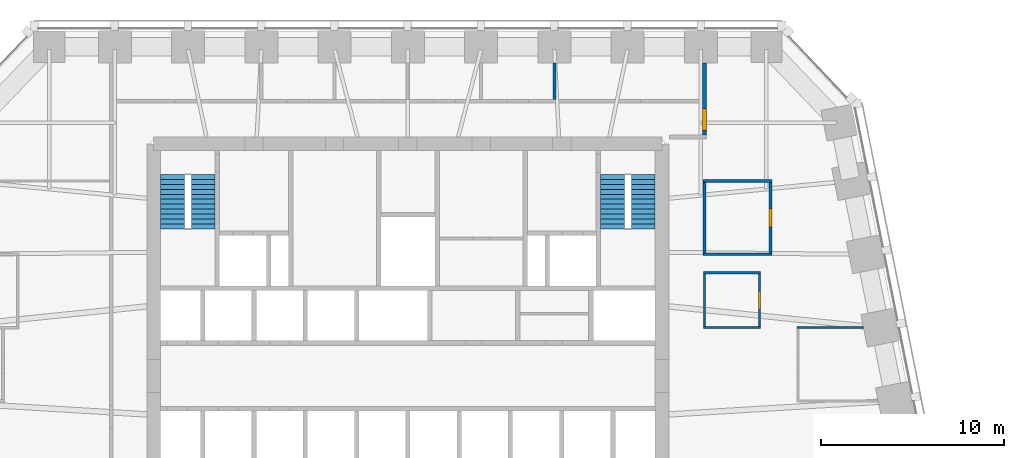
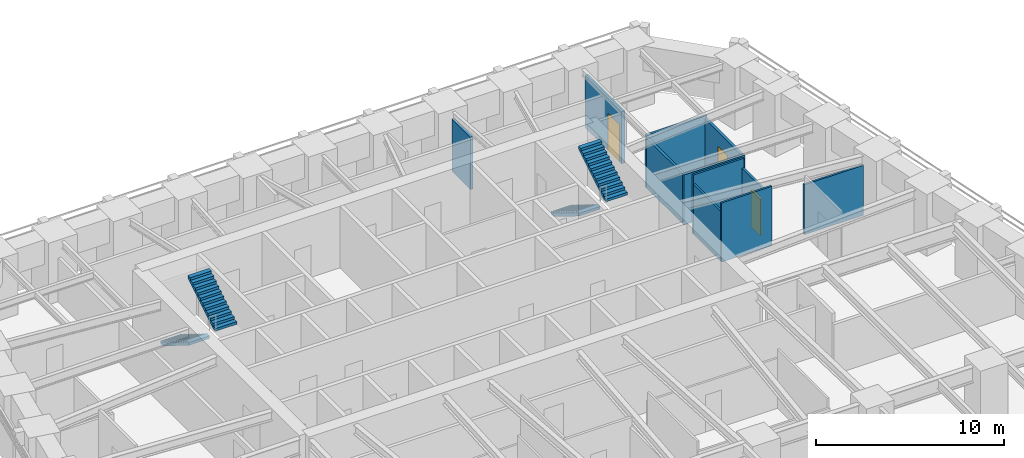
# One storey, part 8 of 10: 11 walls, 4 stair flights, 3 doors, 3 openings, 2 elements without a shape of their own.
"""IFC4 building model written with IfcOpenShell, lengths in metres."""

from ifc_helpers import new_model, si_unit, direction, frame, frame_2d, origin, place, context, subcontext, project, spatial, polyline, rectangle, outline, extrude, material, layer, layer_set, type_object, element, fill, aggregate, save


model = new_model("IFC4")

# Units and contexts
model_context = context("Model", 3, precision=1e-05, world=origin(), true_north=direction((0.0, 1.0)))
body_context = subcontext(model_context, "Body", "Model", "MODEL_VIEW")
ifc_project = project(units=[si_unit("LENGTHUNIT", "METRE"), si_unit("AREAUNIT", "SQUARE_METRE"), si_unit("VOLUMEUNIT", "CUBIC_METRE"), si_unit("PLANEANGLEUNIT", "RADIAN"), si_unit("MASSUNIT", "GRAM", prefix="KILO")], contexts=[model_context])

# Site, building, storey
site_placement = place(None, origin())
site = spatial("IfcSite", under=ifc_project, at=site_placement, CompositionType="ELEMENT")
building_placement = place(site_placement, origin())
building = spatial("IfcBuilding", under=site, at=building_placement, Name="Isbrekke Arena Tower", CompositionType="ELEMENT")
storey_placement = place(building_placement, frame((0.0, 0.0, 115.0)))
storey = spatial("IfcBuildingStorey", under=building, at=storey_placement, Name="L25", CompositionType="ELEMENT", Elevation=115.0)

# Walls
ifc_material_1 = material(Name="Gypsum board partition on steel studs", Category="steel")
ifc_layer_1 = layer(ifc_material_1, 0.14990234375)
ifc_layer_set_1 = layer_set([ifc_layer_1], Name="IW1 PARTITION 150")
wall_type_1 = type_object("IfcWallType", Name="IW1 PARTITION 150", PredefinedType="PARTITIONING", material=ifc_layer_set_1)
wall_1_placement = place(storey_placement, frame((16.125, 17.840087890625, 0.0), z_axis=(0.0, 0.0, 1.0), x_axis=(1.0, 0.0, 0.0)))
element("IfcWall", 1, at=wall_1_placement, inside=storey, type_object=wall_type_1, Name="IW1 partition 150 L25", PredefinedType="PARTITIONING", context=body_context, shape_type="SweptSolid", body=[
    extrude(rectangle(XDim=3.75, YDim=0.14990234375, at=frame_2d((1.875, 0.0))), origin(), (0.0, 0.0, 1.0), 3.25),
])
wall_2_placement = place(storey_placement, frame((16.125, 21.840087890625, 0.0), z_axis=(0.0, 0.0, 1.0), x_axis=(1.0, 0.0, 0.0)))
element("IfcWall", 2, at=wall_2_placement, inside=storey, type_object=wall_type_1, Name="IW1 partition 150 L25", PredefinedType="PARTITIONING", context=body_context, shape_type="SweptSolid", body=[
    extrude(rectangle(XDim=3.75, YDim=0.14990234375, at=frame_2d((1.875, 0.0))), origin(), (0.0, 0.0, 1.0), 3.39990234375),
])
wall_3_placement = place(storey_placement, frame((8.0, 26.300048828125, 0.0), z_axis=(0.0, 0.0, 1.0), x_axis=(0.0, 1.0, 0.0)))
element("IfcWall", 3, at=wall_3_placement, inside=storey, type_object=wall_type_1, Name="IW1 partition 150 L25", PredefinedType="PARTITIONING", context=body_context, shape_type="SweptSolid", body=[
    extrude(rectangle(XDim=1.974853515625, YDim=0.14990234375, at=frame_2d((0.9873046875, 0.0))), origin(), (0.0, 0.0, 1.0), 3.39990234375),
])
wall_4_placement = place(storey_placement, frame((16.199951171875, 17.9150390625, 0.0), z_axis=(0.0, 0.0, 1.0), x_axis=(0.0, 1.0, 0.0)))
element("IfcWall", 4, at=wall_4_placement, inside=storey, type_object=wall_type_1, Name="IW1 partition 150 L25", PredefinedType="PARTITIONING", context=body_context, shape_type="SweptSolid", body=[
    extrude(rectangle(XDim=3.849853515625, YDim=0.14990234375, at=frame_2d((1.9248046875, 0.0))), origin(), (0.0, 0.0, 1.0), 3.25),
])

# Wall, opening, door
wall_5_placement = place(storey_placement, frame((19.800048828125, 17.9150390625, 0.0), z_axis=(0.0, 0.0, 1.0), x_axis=(0.0, 1.0, 0.0)))
wall_5 = element("IfcWall", 5, at=wall_5_placement, inside=storey, type_object=wall_type_1, Name="IW1 partition 150 L25", PredefinedType="PARTITIONING", context=body_context, shape_type="SweptSolid", body=[
    extrude(rectangle(XDim=3.849853515625, YDim=0.14990234375, at=frame_2d((1.9248046875, 0.0))), origin(), (0.0, 0.0, 1.0), 3.25),
])
opening_1_placement = place(wall_5_placement, frame((1.425048828125, 0.0, 0.0)))
opening_1 = element("IfcOpeningElement", 6, at=opening_1_placement, cuts=wall_5, Name="Opening D10", PredefinedType="OPENING", context=body_context, shape_type="SweptSolid", body=[
    extrude(rectangle(XDim=1.0, YDim=2.300048828125, at=frame_2d((0.5, 1.14990234375))), frame((0.0, 0.08984375, 0.0), z_axis=(0.0, -1.0, 0.0), x_axis=(1.0, 0.0, 0.0)), (0.0, 0.0, 1.0), 0.1796875),
])
ifc_material_2 = material(Name="Timber door", Category="wood")
door_type_1 = type_object("IfcDoorType", Name="D10 OFFICE DOOR 1000 x 2300", OperationType="SINGLE_SWING_LEFT", PredefinedType="DOOR", material=ifc_material_2)
door_1_placement = place(opening_1_placement, origin())
door_1 = element("IfcDoor", 7, at=door_1_placement, inside=storey, type_object=door_type_1, Name="D10 pantry door L25", OperationType="SINGLE_SWING_LEFT", OverallHeight=2.300048828125, OverallWidth=1.0, PredefinedType="DOOR", context=body_context, shape_type="SweptSolid", body=[
    extrude(rectangle(XDim=1.0, YDim=2.300048828125, at=frame_2d((0.5, 1.14990234375))), frame((0.0, 0.07470703125, 0.0), z_axis=(0.0, -1.0, 0.0), x_axis=(1.0, 0.0, 0.0)), (0.0, 0.0, 1.0), 0.1494140625),
])
fill(opening_1, door_1)

# Walls
ifc_material_3 = material(Name="Frameless glazed partition, laminated acoustic glass", Category="glass")
ifc_layer_2 = layer(ifc_material_3, 0.1201171875)
ifc_layer_set_2 = layer_set([ifc_layer_2], Name="IW2 GLAZED PARTITION 120")
wall_type_2 = type_object("IfcWallType", Name="IW2 GLAZED PARTITION 120", PredefinedType="PARTITIONING", material=ifc_layer_set_2)
wall_6_placement = place(storey_placement, frame((16.139892578125, 13.840087890625, 0.0), z_axis=(0.0, 0.0, 1.0), x_axis=(1.0, 0.0, 0.0)))
element("IfcWall", 8, at=wall_6_placement, inside=storey, type_object=wall_type_2, Name="IW2 glazed partition 120 L25", PredefinedType="PARTITIONING", context=body_context, shape_type="SweptSolid", body=[
    extrude(rectangle(XDim=3.1201171875, YDim=0.1201171875, at=frame_2d((1.56005859375, 0.0))), origin(), (0.0, 0.0, 1.0), 3.85009765625),
])
wall_7_placement = place(storey_placement, frame((21.239990234375, 13.840087890625, 0.0), z_axis=(0.0, 0.0, 1.0), x_axis=(1.0, 0.0, 0.0)))
element("IfcWall", 9, at=wall_7_placement, inside=storey, type_object=wall_type_2, Name="IW2 glazed partition 120 L25", PredefinedType="PARTITIONING", context=body_context, shape_type="SweptSolid", body=[
    extrude(rectangle(XDim=3.6328125, YDim=0.1201171875, at=frame_2d((1.81640625, 0.0))), origin(), (0.0, 0.0, 1.0), 3.25),
])
wall_8_placement = place(storey_placement, frame((16.139892578125, 16.840087890625, 0.0), z_axis=(0.0, 0.0, 1.0), x_axis=(1.0, 0.0, 0.0)))
element("IfcWall", 10, at=wall_8_placement, inside=storey, type_object=wall_type_2, Name="IW2 glazed partition 120 L25", PredefinedType="PARTITIONING", context=body_context, shape_type="SweptSolid", body=[
    extrude(rectangle(XDim=3.1201171875, YDim=0.1201171875, at=frame_2d((1.56005859375, 0.0))), origin(), (0.0, 0.0, 1.0), 3.85009765625),
])
wall_9_placement = place(storey_placement, frame((16.199951171875, 13.89990234375, 0.0), z_axis=(0.0, 0.0, 1.0), x_axis=(0.0, 1.0, 0.0)))
element("IfcWall", 11, at=wall_9_placement, inside=storey, type_object=wall_type_2, Name="IW2 glazed partition 120 L25", PredefinedType="PARTITIONING", context=body_context, shape_type="SweptSolid", body=[
    extrude(rectangle(XDim=2.880126953125, YDim=0.1201171875, at=frame_2d((1.43994140625, 0.0))), origin(), (0.0, 0.0, 1.0), 3.25),
])

# Wall, opening, door
wall_10_placement = place(storey_placement, frame((19.199951171875, 13.89990234375, 0.0), z_axis=(0.0, 0.0, 1.0), x_axis=(0.0, 1.0, 0.0)))
wall_10 = element("IfcWall", 12, at=wall_10_placement, inside=storey, type_object=wall_type_2, Name="IW2 glazed partition 120 L25", PredefinedType="PARTITIONING", context=body_context, shape_type="SweptSolid", body=[
    extrude(rectangle(XDim=2.880126953125, YDim=0.1201171875, at=frame_2d((1.43994140625, 0.0))), origin(), (0.0, 0.0, 1.0), 3.25),
])
opening_2_placement = place(wall_10_placement, frame((0.93994140625, 0.0, 0.0)))
opening_2 = element("IfcOpeningElement", 13, at=opening_2_placement, cuts=wall_10, Name="Opening D11", PredefinedType="OPENING", context=body_context, shape_type="SweptSolid", body=[
    extrude(rectangle(XDim=1.0, YDim=2.39990234375, at=frame_2d((0.5, 1.199951171875))), frame((0.0, 0.074951171875, 0.0), z_axis=(0.0, -1.0, 0.0), x_axis=(1.0, 0.0, 0.0)), (0.0, 0.0, 1.0), 0.14990234375),
])
ifc_material_4 = material(Name="Frameless glazed door", Category="glass")
door_type_2 = type_object("IfcDoorType", Name="D11 GLAZED MEETING ROOM DOOR 1000 x 2400", OperationType="SINGLE_SWING_RIGHT", PredefinedType="DOOR", material=ifc_material_4)
door_2_placement = place(opening_2_placement, origin())
door_2 = element("IfcDoor", 14, at=door_2_placement, inside=storey, type_object=door_type_2, Name="D11 quiet room door L25", OperationType="SINGLE_SWING_RIGHT", OverallHeight=2.39990234375, OverallWidth=1.0, PredefinedType="DOOR", context=body_context, shape_type="SweptSolid", body=[
    extrude(rectangle(XDim=1.0, YDim=2.39990234375, at=frame_2d((0.5, 1.199951171875))), frame((0.0, 0.059814453125, 0.0), z_axis=(0.0, -1.0, 0.0), x_axis=(1.0, 0.0, 0.0)), (0.0, 0.0, 1.0), 0.11962890625),
])
fill(opening_2, door_2)

ifc_material_5 = material(Name="Gypsum board fire-cell wall on steel studs, two layers each side", Category="steel")
ifc_layer_3 = layer(ifc_material_5, 0.199951171875)
ifc_layer_set_3 = layer_set([ifc_layer_3], Name="IW3 FIRE-CELL WALL 200")
wall_type_3 = type_object("IfcWallType", Name="IW3 FIRE-CELL WALL 200", PredefinedType="PARTITIONING", material=ifc_layer_set_3)
wall_11_placement = place(storey_placement, frame((16.199951171875, 24.35009765625, 0.0), z_axis=(0.0, 0.0, 1.0), x_axis=(0.0, 1.0, 0.0)))
wall_11 = element("IfcWall", 15, at=wall_11_placement, inside=storey, type_object=wall_type_3, Name="IW3 fire-cell wall 200 L25", PredefinedType="PARTITIONING", context=body_context, shape_type="SweptSolid", body=[
    extrude(rectangle(XDim=3.9248046875, YDim=0.199951171875, at=frame_2d((1.96240234375, 0.0))), origin(), (0.0, 0.0, 1.0), 3.39990234375),
])
opening_3_placement = place(wall_11_placement, frame((0.25, 0.0, 0.0)))
opening_3 = element("IfcOpeningElement", 16, at=opening_3_placement, cuts=wall_11, Name="Opening D12", PredefinedType="OPENING", context=body_context, shape_type="SweptSolid", body=[
    extrude(rectangle(XDim=1.199951171875, YDim=2.39990234375, at=frame_2d((0.60009765625, 1.199951171875))), frame((0.0, 0.11474609375, 0.0), z_axis=(0.0, -1.0, 0.0), x_axis=(1.0, 0.0, 0.0)), (0.0, 0.0, 1.0), 0.229736328125),
])
ifc_material_6 = material(Name="Timber fire door with vision panel", Category="wood")
door_type_3 = type_object("IfcDoorType", Name="D12 SUITE ENTRANCE DOOR 1200 x 2400", OperationType="SINGLE_SWING_LEFT", PredefinedType="DOOR", material=ifc_material_6)
door_3_placement = place(opening_3_placement, origin())
door_3 = element("IfcDoor", 17, at=door_3_placement, inside=storey, type_object=door_type_3, Name="D12 suite entrance E door L25", OperationType="SINGLE_SWING_LEFT", OverallHeight=2.39990234375, OverallWidth=1.199951171875, PredefinedType="DOOR", context=body_context, shape_type="SweptSolid", body=[
    extrude(rectangle(XDim=1.199951171875, YDim=2.39990234375, at=frame_2d((0.60009765625, 1.199951171875))), frame((0.0, 0.099609375, 0.0), z_axis=(0.0, -1.0, 0.0), x_axis=(1.0, 0.0, 0.0)), (0.0, 0.0, 1.0), 0.199462890625),
])
fill(opening_3, door_3)

# Stair, stair flights
ifc_material_7 = material(Name="Concrete B45 (C45/55) precast", Category="concrete")
stair_type = type_object("IfcStairType", Name="ST40 STAIR 1300 WIDE, 24 RISERS 167", PredefinedType="HALF_TURN_STAIR", material=ifc_material_7)
stair_1_placement = place(storey_placement, origin())
stair_1 = element("IfcStair", 18, at=stair_1_placement, inside=storey, type_object=stair_type, Name="ST1 stair L25", PredefinedType="HALF_TURN_STAIR")
ifc_material_8 = material(Name="Concrete B45 (C45/55) precast", Category="concrete")
stair_flight_type = type_object("IfcStairFlightType", Name="SF 1300 FLIGHT", PredefinedType="STRAIGHT", material=ifc_material_8)
stair_flight_1_placement = place(storey_placement, frame((-12.85009765625, 22.199951171875, 0.0), z_axis=(0.0, 0.0, 1.0), x_axis=(0.0, -1.0, 0.0)))
stair_flight_1 = element("IfcStairFlight", 19, at=stair_flight_1_placement, type_object=stair_flight_type, Name="ST1 flight 1", NumberOfRisers=12, NumberOfTreads=11, PredefinedType="STRAIGHT", RiserHeight=0.166666667, TreadLength=0.27, context=body_context, shape_type="SweptSolid", body=[
    extrude(outline(polyline([(0.0, 0.0), (0.0, 0.166748046875), (0.27001953125, 0.166748046875), (0.27001953125, 0.333251953125), (0.5400390625, 0.333251953125), (0.5400390625, 0.5), (0.81005859375, 0.5), (0.81005859375, 0.666748046875), (1.080078125, 0.666748046875), (1.080078125, 0.833251953125), (1.35009765625, 0.833251953125), (1.35009765625, 1.0), (1.6201171875, 1.0), (1.6201171875, 1.166748046875), (1.889892578125, 1.166748046875), (1.889892578125, 1.333251953125), (2.159912109375, 1.333251953125), (2.159912109375, 1.5), (2.429931640625, 1.5), (2.429931640625, 1.666748046875), (2.699951171875, 1.666748046875), (2.699951171875, 1.833251953125), (2.969970703125, 1.833251953125), (2.969970703125, 2.0), (2.969970703125, 1.6572265625), (0.285400390625, 0.0), (0.0, 0.0)])), frame((0.0, 0.64990234375, 0.0), z_axis=(0.0, -1.0, 0.0), x_axis=(1.0, 0.0, 0.0)), (0.0, 0.0, 1.0), 1.300048828125),
])
stair_flight_2_placement = place(storey_placement, frame((-11.175048828125, 19.22998046875, 2.0), z_axis=(0.0, 0.0, 1.0), x_axis=(0.0, 1.0, 0.0)))
stair_flight_2 = element("IfcStairFlight", 20, at=stair_flight_2_placement, type_object=stair_flight_type, Name="ST1 flight 2", NumberOfRisers=12, NumberOfTreads=11, PredefinedType="STRAIGHT", RiserHeight=0.166666667, TreadLength=0.27, context=body_context, shape_type="SweptSolid", body=[
    extrude(outline(polyline([(0.0, 0.0), (0.0, 0.166748046875), (0.27001953125, 0.166748046875), (0.27001953125, 0.333251953125), (0.5400390625, 0.333251953125), (0.5400390625, 0.5), (0.81005859375, 0.5), (0.81005859375, 0.666748046875), (1.080078125, 0.666748046875), (1.080078125, 0.833251953125), (1.35009765625, 0.833251953125), (1.35009765625, 1.0), (1.6201171875, 1.0), (1.6201171875, 1.166748046875), (1.889892578125, 1.166748046875), (1.889892578125, 1.333251953125), (2.159912109375, 1.333251953125), (2.159912109375, 1.5), (2.429931640625, 1.5), (2.429931640625, 1.666748046875), (2.699951171875, 1.666748046875), (2.699951171875, 1.833251953125), (2.969970703125, 1.833251953125), (2.969970703125, 2.0), (2.969970703125, 1.6572265625), (0.285400390625, 0.0), (0.0, 0.0)])), frame((0.0, 0.64990234375, 0.0), z_axis=(0.0, -1.0, 0.0), x_axis=(1.0, 0.0, 0.0)), (0.0, 0.0, 1.0), 1.300048828125),
])
aggregate(stair_1, [stair_flight_1, stair_flight_2])

stair_2_placement = place(storey_placement, origin())
stair_2 = element("IfcStair", 21, at=stair_2_placement, inside=storey, type_object=stair_type, Name="ST2 stair L25", PredefinedType="HALF_TURN_STAIR")
stair_flight_3_placement = place(storey_placement, frame((11.175048828125, 22.199951171875, 0.0), z_axis=(0.0, 0.0, 1.0), x_axis=(0.0, -1.0, 0.0)))
stair_flight_3 = element("IfcStairFlight", 22, at=stair_flight_3_placement, type_object=stair_flight_type, Name="ST2 flight 1", NumberOfRisers=12, NumberOfTreads=11, PredefinedType="STRAIGHT", RiserHeight=0.166666667, TreadLength=0.27, context=body_context, shape_type="SweptSolid", body=[
    extrude(outline(polyline([(0.0, 0.0), (0.0, 0.166748046875), (0.27001953125, 0.166748046875), (0.27001953125, 0.333251953125), (0.5400390625, 0.333251953125), (0.5400390625, 0.5), (0.81005859375, 0.5), (0.81005859375, 0.666748046875), (1.080078125, 0.666748046875), (1.080078125, 0.833251953125), (1.35009765625, 0.833251953125), (1.35009765625, 1.0), (1.6201171875, 1.0), (1.6201171875, 1.166748046875), (1.889892578125, 1.166748046875), (1.889892578125, 1.333251953125), (2.159912109375, 1.333251953125), (2.159912109375, 1.5), (2.429931640625, 1.5), (2.429931640625, 1.666748046875), (2.699951171875, 1.666748046875), (2.699951171875, 1.833251953125), (2.969970703125, 1.833251953125), (2.969970703125, 2.0), (2.969970703125, 1.6572265625), (0.285400390625, 0.0), (0.0, 0.0)])), frame((0.0, 0.64990234375, 0.0), z_axis=(0.0, -1.0, 0.0), x_axis=(1.0, 0.0, 0.0)), (0.0, 0.0, 1.0), 1.300048828125),
])
stair_flight_4_placement = place(storey_placement, frame((12.85009765625, 19.22998046875, 2.0), z_axis=(0.0, 0.0, 1.0), x_axis=(0.0, 1.0, 0.0)))
stair_flight_4 = element("IfcStairFlight", 23, at=stair_flight_4_placement, type_object=stair_flight_type, Name="ST2 flight 2", NumberOfRisers=12, NumberOfTreads=11, PredefinedType="STRAIGHT", RiserHeight=0.166666667, TreadLength=0.27, context=body_context, shape_type="SweptSolid", body=[
    extrude(outline(polyline([(0.0, 0.0), (0.0, 0.166748046875), (0.27001953125, 0.166748046875), (0.27001953125, 0.333251953125), (0.5400390625, 0.333251953125), (0.5400390625, 0.5), (0.81005859375, 0.5), (0.81005859375, 0.666748046875), (1.080078125, 0.666748046875), (1.080078125, 0.833251953125), (1.35009765625, 0.833251953125), (1.35009765625, 1.0), (1.6201171875, 1.0), (1.6201171875, 1.166748046875), (1.889892578125, 1.166748046875), (1.889892578125, 1.333251953125), (2.159912109375, 1.333251953125), (2.159912109375, 1.5), (2.429931640625, 1.5), (2.429931640625, 1.666748046875), (2.699951171875, 1.666748046875), (2.699951171875, 1.833251953125), (2.969970703125, 1.833251953125), (2.969970703125, 2.0), (2.969970703125, 1.6572265625), (0.285400390625, 0.0), (0.0, 0.0)])), frame((0.0, 0.64990234375, 0.0), z_axis=(0.0, -1.0, 0.0), x_axis=(1.0, 0.0, 0.0)), (0.0, 0.0, 1.0), 1.300048828125),
])
aggregate(stair_2, [stair_flight_3, stair_flight_4])

save(model, "model.ifc")
